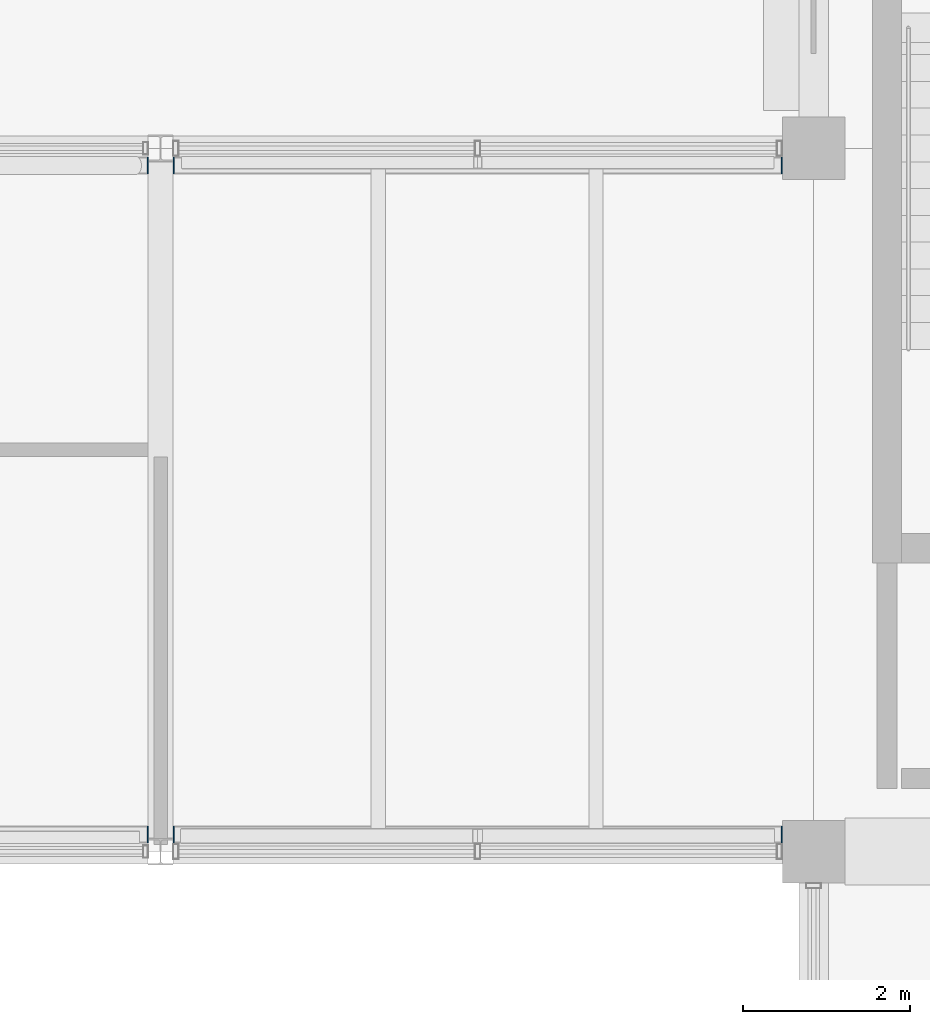
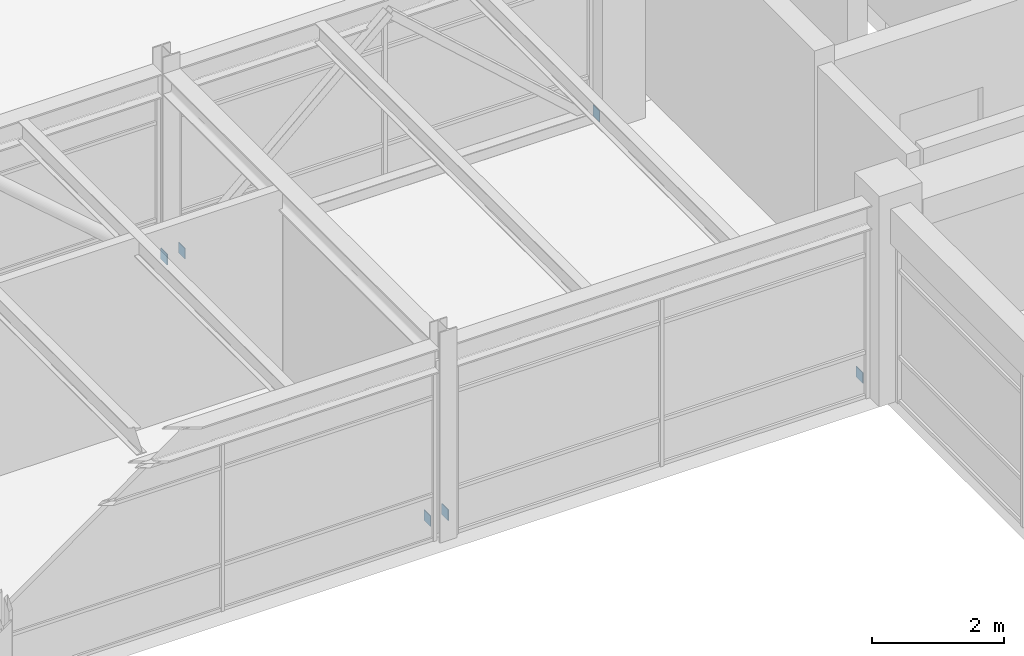
# One storey, part 46 of 72: 6 plates.
"""IFC4 building model written with IfcOpenShell, lengths in metres."""

from ifc_helpers import new_model, si_unit, direction, frame, origin, origin_2d, place, context, subcontext, project, spatial, rectangle, extrude, material, layer, layer_set, type_object, element, save


model = new_model("IFC4")

# Units and contexts
model_context = context("Model", 3, precision=1e-05, world=origin(), true_north=direction((0.0, 1.0)))
body_context = subcontext(model_context, "Body", "Model", "MODEL_VIEW")
ifc_project = project(units=[si_unit("LENGTHUNIT", "METRE"), si_unit("AREAUNIT", "SQUARE_METRE"), si_unit("VOLUMEUNIT", "CUBIC_METRE"), si_unit("PLANEANGLEUNIT", "RADIAN"), si_unit("MASSUNIT", "GRAM", prefix="KILO"), si_unit("THERMODYNAMICTEMPERATUREUNIT", "KELVIN"), si_unit("POWERUNIT", "WATT")], contexts=[model_context])

# Site, building, storey
site_placement = place(None, origin())
site = spatial("IfcSite", under=ifc_project, at=site_placement, CompositionType="ELEMENT")
building_placement = place(site_placement, origin())
building = spatial("IfcBuilding", under=site, at=building_placement, Name="Srebrne Nadtorze General Hospital", CompositionType="ELEMENT")
storey_placement = place(building_placement, frame((0.0, 0.0, 22.199951171875)))
storey = spatial("IfcBuildingStorey", under=building, at=storey_placement, Name="L05", CompositionType="ELEMENT", Elevation=22.199951171875)

# Plates
ifc_material = material(Name="Steel S355J2", Category="steel")
ifc_layer = layer(ifc_material, 0.011962890625)
ifc_layer_set = layer_set([ifc_layer], Name="Steel S355J2")
plate_type = type_object("IfcPlateType", Name="Steel bearing plate 12", PredefinedType="SHEET", material=ifc_layer_set)
for number, where, z_axis, x_axis, name in (
    (1, (93.444091796875, 50.60498046875, 0.14990234375), (0.0, 0.0, 1.0), (1.0, 0.0, 0.0), "Clinical courtyard bridge truss chord end plate 5-2"),
    (2, (93.756103515625, 50.60498046875, 0.14990234375), (0.0, 0.0, 1.0), (1.0, 0.0, 0.0), "Clinical courtyard bridge truss chord end plate 6-1"),
    (3, (101.01904296875, 50.60498046875, 0.14990234375), (0.0, 0.0, 1.0), (1.0, 0.0, 0.0), "Clinical courtyard bridge truss chord end plate 6-2"),
    (4, (93.444091796875, 58.594970703125, 0.14990234375), (0.0, 0.0, 1.0), (1.0, 0.0, 0.0), "Clinical courtyard bridge truss chord end plate 11-2"),
    (5, (93.756103515625, 58.594970703125, 0.14990234375), (0.0, 0.0, 1.0), (1.0, 0.0, 0.0), "Clinical courtyard bridge truss chord end plate 12-1"),
    (6, (101.01904296875, 58.594970703125, 0.14990234375), (0.0, 0.0, 1.0), (1.0, 0.0, 0.0), "Clinical courtyard bridge truss chord end plate 12-2"),
):
    element("IfcPlate", number, at=place(storey_placement, frame(where, z_axis=z_axis, x_axis=x_axis)), inside=storey, type_object=plate_type, Name=name, PredefinedType="SHEET", context=body_context, shape_type="SweptSolid", body=[
        extrude(rectangle(XDim=0.011962890625, YDim=0.199951171875, at=origin_2d()), origin(), (0.0, 0.0, 1.0), 0.199951171875),
    ])

save(model, "model.ifc")
